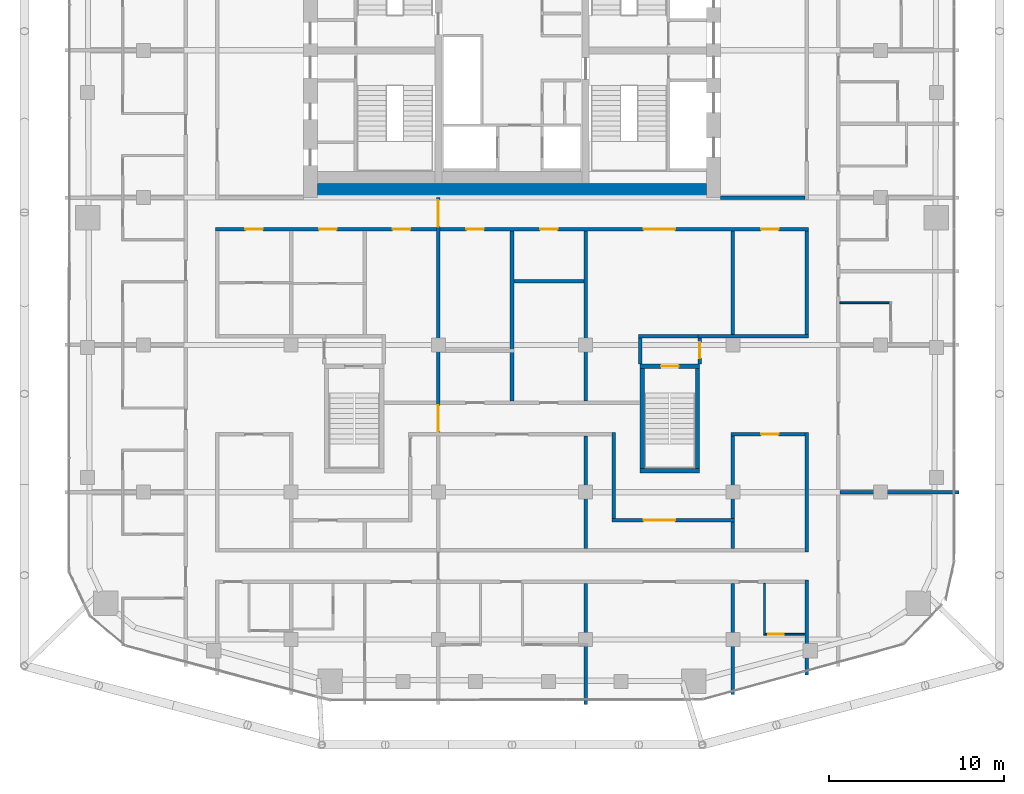
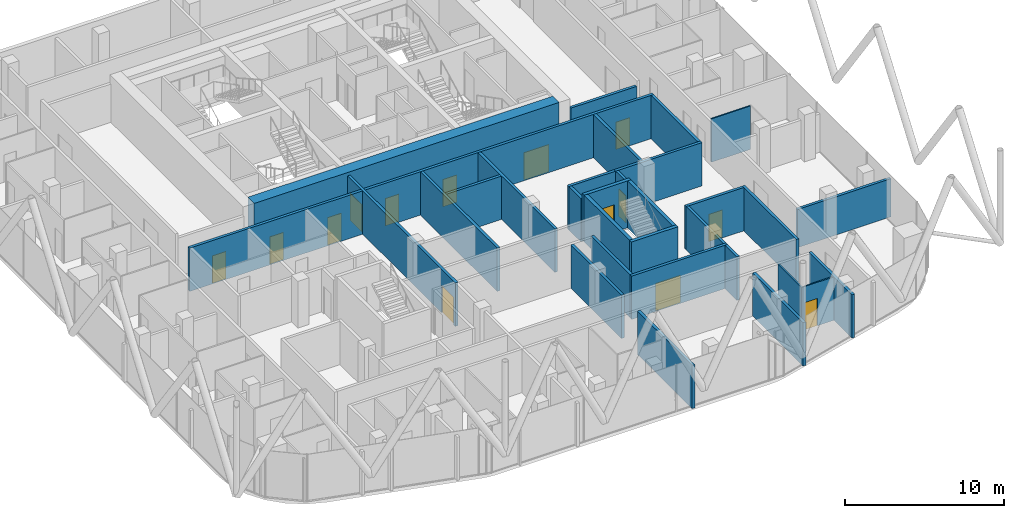
# One storey, part 22 of 28: 31 walls, 14 doors, 14 openings.
"""IFC4 building model written with IfcOpenShell, lengths in metres."""

from ifc_helpers import new_model, si_unit, direction, frame, frame_2d, origin, place, context, subcontext, project, spatial, rectangle, extrude, material, layer, layer_set, type_object, element, fill, save


model = new_model("IFC4")

# Units and contexts
model_context = context("Model", 3, precision=1e-05, world=origin(), true_north=direction((0.0, 1.0)))
body_context = subcontext(model_context, "Body", "Model", "MODEL_VIEW")
ifc_project = project(units=[si_unit("LENGTHUNIT", "METRE"), si_unit("AREAUNIT", "SQUARE_METRE"), si_unit("VOLUMEUNIT", "CUBIC_METRE"), si_unit("PLANEANGLEUNIT", "RADIAN"), si_unit("MASSUNIT", "GRAM", prefix="KILO")], contexts=[model_context])

# Site, building, storey
site_placement = place(None, origin())
site = spatial("IfcSite", under=ifc_project, at=site_placement, CompositionType="ELEMENT")
building_placement = place(site_placement, origin())
building = spatial("IfcBuilding", under=site, at=building_placement, Name="Marenta Gate Hotel Tower", CompositionType="ELEMENT")
storey_placement = place(building_placement, frame((0.0, 0.0, 241.699951171875)))
storey = spatial("IfcBuildingStorey", under=building, at=storey_placement, Name="L57", CompositionType="ELEMENT", Elevation=241.699951171875)

# Wall, openings, doors
ifc_material_1 = material(Name="Concrete blockwork", Category="masonry")
ifc_layer_1 = layer(ifc_material_1, 0.199951171875)
ifc_layer_set_1 = layer_set([ifc_layer_1], Name="Concrete blockwork")
wall_type_1 = type_object("IfcWallType", Name="Compartment wall 200 REI 180", PredefinedType="PARTITIONING", material=ifc_layer_set_1)
wall_1_placement = place(storey_placement, frame((-4.199951171875, -13.60009765625, 0.0), z_axis=(0.0, 0.0, 1.0), x_axis=(0.0, 1.0, 0.0)))
wall_1 = element("IfcWall", 1, at=wall_1_placement, inside=storey, type_object=wall_type_1, Name="L57-PTN-W071", PredefinedType="PARTITIONING", context=body_context, shape_type="SweptSolid", body=[
    extrude(rectangle(XDim=13.60009765625, YDim=0.199951171875, at=frame_2d((6.800048828125, 0.0))), origin(), (0.0, 0.0, 1.0), 3.340087890625),
])
opening_1_placement = place(wall_1_placement, frame((11.949951171875, 0.0, 0.0)))
opening_1 = element("IfcOpeningElement", 2, at=opening_1_placement, cuts=wall_1, Name="Opening G21-FD2", PredefinedType="OPENING", context=body_context, shape_type="SweptSolid", body=[
    extrude(rectangle(XDim=1.5, YDim=2.10009765625, at=frame_2d((0.75, 1.050048828125))), frame((0.0, 0.10009765625, 0.0), z_axis=(0.0, -1.0, 0.0), x_axis=(1.0, 0.0, 0.0)), (0.0, 0.0, 1.0), 0.199951171875),
])
opening_2_placement = place(wall_1_placement, frame((0.25, 0.0, 0.0)))
opening_2 = element("IfcOpeningElement", 3, at=opening_2_placement, cuts=wall_1, Name="Opening G21-FD3", PredefinedType="OPENING", context=body_context, shape_type="SweptSolid", body=[
    extrude(rectangle(XDim=1.5, YDim=2.10009765625, at=frame_2d((0.75, 1.050048828125))), frame((0.0, 0.10009765625, 0.0), z_axis=(0.0, -1.0, 0.0), x_axis=(1.0, 0.0, 0.0)), (0.0, 0.0, 1.0), 0.199951171875),
])
ifc_material_2 = material(Name="Hollow steel door set", Category="steel")
door_type_1 = type_object("IfcDoorType", Name="Compartment fire door 1500x2100 EI 60", OperationType="DOUBLE_DOOR_DOUBLE_SWING", PredefinedType="DOOR", material=ifc_material_2)
door_1_placement = place(opening_1_placement, origin())
door_1 = element("IfcDoor", 4, at=door_1_placement, inside=storey, type_object=door_type_1, Name="L57-PD-FD02", OperationType="DOUBLE_DOOR_DOUBLE_SWING", OverallHeight=2.10009765625, OverallWidth=1.5, PredefinedType="DOOR", context=body_context, shape_type="SweptSolid", body=[
    extrude(rectangle(XDim=1.5, YDim=2.10009765625, at=frame_2d((0.75, 1.050048828125))), frame((0.0, 0.02490234375, 0.0), z_axis=(0.0, -1.0, 0.0), x_axis=(1.0, 0.0, 0.0)), (0.0, 0.0, 1.0), 0.050048828125),
])
fill(opening_1, door_1)
door_2_placement = place(opening_2_placement, origin())
door_2 = element("IfcDoor", 5, at=door_2_placement, inside=storey, type_object=door_type_1, Name="L57-PD-FD03", OperationType="DOUBLE_DOOR_DOUBLE_SWING", OverallHeight=2.10009765625, OverallWidth=1.5, PredefinedType="DOOR", context=body_context, shape_type="SweptSolid", body=[
    extrude(rectangle(XDim=1.5, YDim=2.10009765625, at=frame_2d((0.75, 1.050048828125))), frame((0.0, 0.02490234375, 0.0), z_axis=(0.0, -1.0, 0.0), x_axis=(1.0, 0.0, 0.0)), (0.0, 0.0, 1.0), 0.050048828125),
])
fill(opening_2, door_2)

# Walls
ifc_material_3 = material(Name="Concrete blockwork", Category="masonry")
ifc_layer_2 = layer(ifc_material_3, 0.199951171875)
ifc_layer_set_2 = layer_set([ifc_layer_2], Name="Concrete blockwork")
wall_type_2 = type_object("IfcWallType", Name="Core boundary wall 200 REI 180", PredefinedType="PARTITIONING", material=ifc_layer_set_2)
wall_2_placement = place(storey_placement, frame((11.89990234375, 0.0, 0.0), z_axis=(0.0, 0.0, 1.0), x_axis=(1.0, 0.0, 0.0)))
element("IfcWall", 6, at=wall_2_placement, inside=storey, type_object=wall_type_2, Name="L57-CP-EW-ES", PredefinedType="PARTITIONING", context=body_context, shape_type="SweptSolid", body=[
    extrude(rectangle(XDim=4.800048828125, YDim=0.199951171875, at=frame_2d((2.39990234375, 0.0))), origin(), (0.0, 0.0, 1.0), 2.93994140625),
])
ifc_material_4 = material(Name="Concrete C60", Category="concrete")
ifc_layer_3 = layer(ifc_material_4, 0.800048828125)
ifc_layer_set_3 = layer_set([ifc_layer_3], Name="Concrete C60")
wall_type_3 = type_object("IfcWallType", Name="Core wall 800 C60", PredefinedType="SHEAR", material=ifc_layer_set_3)
wall_3_placement = place(storey_placement, frame((-11.10009765625, 0.39990234375, 0.0), z_axis=(0.0, 0.0, 1.0), x_axis=(1.0, 0.0, 0.0)))
element("IfcWall", 7, at=wall_3_placement, inside=storey, type_object=wall_type_3, Name="L57-CORE-S", PredefinedType="SHEAR", context=body_context, shape_type="SweptSolid", body=[
    extrude(rectangle(XDim=22.2001953125, YDim=0.800048828125, at=frame_2d((11.10009765625, 0.0))), origin(), (0.0, 0.0, 1.0), 3.60009765625),
])
ifc_material_5 = material(Name="Concrete C40", Category="concrete")
ifc_layer_4 = layer(ifc_material_5, 0.25)
ifc_layer_set_4 = layer_set([ifc_layer_4], Name="Concrete C40")
wall_type_4 = type_object("IfcWallType", Name="Remote stair enclosure wall 250 REI 180", PredefinedType="SHEAR", material=ifc_layer_set_4)
wall_4_placement = place(storey_placement, frame((7.300048828125, -15.574951171875, 0.10009765625), z_axis=(0.0, 0.0, 1.0), x_axis=(1.0, 0.0, 0.0)))
element("IfcWall", 8, at=wall_4_placement, inside=storey, type_object=wall_type_4, Name="L57-RS-Z3-2-W1", PredefinedType="SHEAR", context=body_context, shape_type="SweptSolid", body=[
    extrude(rectangle(XDim=3.39990234375, YDim=0.25, at=frame_2d((1.699951171875, 0.0))), origin(), (0.0, 0.0, 1.0), 3.599853515625),
])

# Wall, opening, door
wall_5_placement = place(storey_placement, frame((7.300048828125, -9.625, 0.10009765625), z_axis=(0.0, 0.0, 1.0), x_axis=(1.0, 0.0, 0.0)))
wall_5 = element("IfcWall", 9, at=wall_5_placement, inside=storey, type_object=wall_type_4, Name="L57-RS-Z3-2-W2", PredefinedType="SHEAR", context=body_context, shape_type="SweptSolid", body=[
    extrude(rectangle(XDim=3.39990234375, YDim=0.25, at=frame_2d((1.699951171875, 0.0))), origin(), (0.0, 0.0, 1.0), 3.599853515625),
])
opening_3_placement = place(wall_5_placement, frame((1.199951171875, 0.0, 0.0)))
opening_3 = element("IfcOpeningElement", 10, at=opening_3_placement, cuts=wall_5, Name="Opening VD", PredefinedType="OPENING", context=body_context, shape_type="SweptSolid", body=[
    extrude(rectangle(XDim=1.0, YDim=2.10009765625, at=frame_2d((0.5, 1.050048828125))), frame((0.0, 0.125, 0.0), z_axis=(0.0, -1.0, 0.0), x_axis=(1.0, 0.0, 0.0)), (0.0, 0.0, 1.0), 0.25),
])
ifc_material_6 = material(Name="Steel", Category="steel")
door_type_2 = type_object("IfcDoorType", Name="Stair vestibule door 1000x2100 FD60", OperationType="SINGLE_SWING_LEFT", PredefinedType="DOOR", material=ifc_material_6)
door_3_placement = place(opening_3_placement, origin())
door_3 = element("IfcDoor", 11, at=door_3_placement, inside=storey, type_object=door_type_2, Name="VD", OperationType="SINGLE_SWING_LEFT", OverallHeight=2.10009765625, OverallWidth=1.0, PredefinedType="DOOR", context=body_context, shape_type="SweptSolid", body=[
    extrude(rectangle(XDim=1.0, YDim=2.10009765625, at=frame_2d((0.5, 1.050048828125))), frame((0.0, 0.02490234375, 0.0), z_axis=(0.0, -1.0, 0.0), x_axis=(1.0, 0.0, 0.0)), (0.0, 0.0, 1.0), 0.050048828125),
])
fill(opening_3, door_3)

# Walls
for number, where, z_axis, x_axis, name in (
    (12, (7.425048828125, -15.449951171875, 0.10009765625), (0.0, 0.0, 1.0), (0.0, 1.0, 0.0), "L57-RS-Z3-2-W3"),
    (13, (10.574951171875, -15.449951171875, 0.10009765625), (0.0, 0.0, 1.0), (0.0, 1.0, 0.0), "L57-RS-Z3-2-W4"),
):
    element("IfcWall", number, at=place(storey_placement, frame(where, z_axis=z_axis, x_axis=x_axis)), inside=storey, type_object=wall_type_4, Name=name, PredefinedType="SHEAR", context=body_context, shape_type="SweptSolid", body=[
        extrude(rectangle(XDim=5.699951171875, YDim=0.25, at=frame_2d((2.85009765625, 0.0))), origin(), (0.0, 0.0, 1.0), 3.599853515625),
    ])

# Wall, openings, doors
ifc_material_7 = material(Name="Concrete blockwork", Category="masonry")
ifc_layer_5 = layer(ifc_material_7, 0.199951171875)
ifc_layer_set_5 = layer_set([ifc_layer_5], Name="Concrete blockwork")
wall_type_5 = type_object("IfcWallType", Name="Room corridor wall 200 EI 120", PredefinedType="PARTITIONING", material=ifc_layer_set_5)
wall_6_placement = place(storey_placement, frame((-16.89990234375, -1.800048828125, 0.0), z_axis=(0.0, 0.0, 1.0), x_axis=(1.0, 0.0, 0.0)))
wall_6 = element("IfcWall", 14, at=wall_6_placement, inside=storey, type_object=wall_type_5, Name="L57-PTN-W061", PredefinedType="PARTITIONING", context=body_context, shape_type="SweptSolid", body=[
    extrude(rectangle(XDim=33.7998046875, YDim=0.199951171875, at=frame_2d((16.89990234375, 0.0))), origin(), (0.0, 0.0, 1.0), 3.340087890625),
])
opening_4_placement = place(wall_6_placement, frame((1.699951171875, 0.0, 0.0)))
opening_4 = element("IfcOpeningElement", 15, at=opening_4_placement, cuts=wall_6, Name="Opening G21-01", PredefinedType="OPENING", context=body_context, shape_type="SweptSolid", body=[
    extrude(rectangle(XDim=1.0, YDim=2.10009765625, at=frame_2d((0.5, 1.050048828125))), frame((0.0, 0.10009765625, 0.0), z_axis=(0.0, -1.0, 0.0), x_axis=(1.0, 0.0, 0.0)), (0.0, 0.0, 1.0), 0.199951171875),
])
opening_5_placement = place(wall_6_placement, frame((5.89990234375, 0.0, 0.0)))
opening_5 = element("IfcOpeningElement", 16, at=opening_5_placement, cuts=wall_6, Name="Opening G21-03", PredefinedType="OPENING", context=body_context, shape_type="SweptSolid", body=[
    extrude(rectangle(XDim=1.0, YDim=2.10009765625, at=frame_2d((0.5, 1.050048828125))), frame((0.0, 0.10009765625, 0.0), z_axis=(0.0, -1.0, 0.0), x_axis=(1.0, 0.0, 0.0)), (0.0, 0.0, 1.0), 0.199951171875),
])
opening_6_placement = place(wall_6_placement, frame((10.10009765625, 0.0, 0.0)))
opening_6 = element("IfcOpeningElement", 17, at=opening_6_placement, cuts=wall_6, Name="Opening G21-05", PredefinedType="OPENING", context=body_context, shape_type="SweptSolid", body=[
    extrude(rectangle(XDim=1.0, YDim=2.10009765625, at=frame_2d((0.5, 1.050048828125))), frame((0.0, 0.10009765625, 0.0), z_axis=(0.0, -1.0, 0.0), x_axis=(1.0, 0.0, 0.0)), (0.0, 0.0, 1.0), 0.199951171875),
])
opening_7_placement = place(wall_6_placement, frame((24.39990234375, 0.0, 0.0)))
opening_7 = element("IfcOpeningElement", 18, at=opening_7_placement, cuts=wall_6, Name="Opening G21-06", PredefinedType="OPENING", context=body_context, shape_type="SweptSolid", body=[
    extrude(rectangle(XDim=1.800048828125, YDim=2.10009765625, at=frame_2d((0.89990234375, 1.050048828125))), frame((0.0, 0.10009765625, 0.0), z_axis=(0.0, -1.0, 0.0), x_axis=(1.0, 0.0, 0.0)), (0.0, 0.0, 1.0), 0.199951171875),
])
opening_8_placement = place(wall_6_placement, frame((31.10009765625, 0.0, 0.0)))
opening_8 = element("IfcOpeningElement", 19, at=opening_8_placement, cuts=wall_6, Name="Opening G21-07", PredefinedType="OPENING", context=body_context, shape_type="SweptSolid", body=[
    extrude(rectangle(XDim=1.0, YDim=2.10009765625, at=frame_2d((0.5, 1.050048828125))), frame((0.0, 0.10009765625, 0.0), z_axis=(0.0, -1.0, 0.0), x_axis=(1.0, 0.0, 0.0)), (0.0, 0.0, 1.0), 0.199951171875),
])
opening_9_placement = place(wall_6_placement, frame((14.300048828125, 0.0, 0.0)))
opening_9 = element("IfcOpeningElement", 20, at=opening_9_placement, cuts=wall_6, Name="Opening G21-64", PredefinedType="OPENING", context=body_context, shape_type="SweptSolid", body=[
    extrude(rectangle(XDim=1.0, YDim=2.10009765625, at=frame_2d((0.5, 1.050048828125))), frame((0.0, 0.10009765625, 0.0), z_axis=(0.0, -1.0, 0.0), x_axis=(1.0, 0.0, 0.0)), (0.0, 0.0, 1.0), 0.199951171875),
])
opening_10_placement = place(wall_6_placement, frame((18.5, 0.0, 0.0)))
opening_10 = element("IfcOpeningElement", 21, at=opening_10_placement, cuts=wall_6, Name="Opening G21-68", PredefinedType="OPENING", context=body_context, shape_type="SweptSolid", body=[
    extrude(rectangle(XDim=1.0, YDim=2.10009765625, at=frame_2d((0.5, 1.050048828125))), frame((0.0, 0.10009765625, 0.0), z_axis=(0.0, -1.0, 0.0), x_axis=(1.0, 0.0, 0.0)), (0.0, 0.0, 1.0), 0.199951171875),
])
ifc_material_8 = material(Name="Timber door leaf", Category="wood")
door_type_3 = type_object("IfcDoorType", Name="Room amenity door 1000x2100 EI 60", OperationType="NOTDEFINED", PredefinedType="DOOR", material=ifc_material_8)
door_4_placement = place(opening_6_placement, origin())
door_4 = element("IfcDoor", 22, at=door_4_placement, inside=storey, type_object=door_type_3, Name="L57-PD-D005", OperationType="SINGLE_SWING_RIGHT", OverallHeight=2.10009765625, OverallWidth=1.0, PredefinedType="DOOR", context=body_context, shape_type="SweptSolid", body=[
    extrude(rectangle(XDim=1.0, YDim=2.10009765625, at=frame_2d((0.5, 1.050048828125))), frame((0.0, 0.02490234375, 0.0), z_axis=(0.0, -1.0, 0.0), x_axis=(1.0, 0.0, 0.0)), (0.0, 0.0, 1.0), 0.050048828125),
])
fill(opening_6, door_4)
door_5_placement = place(opening_8_placement, origin())
door_5 = element("IfcDoor", 23, at=door_5_placement, inside=storey, type_object=door_type_3, Name="L57-PD-D007", OperationType="SINGLE_SWING_RIGHT", OverallHeight=2.10009765625, OverallWidth=1.0, PredefinedType="DOOR", context=body_context, shape_type="SweptSolid", body=[
    extrude(rectangle(XDim=1.0, YDim=2.10009765625, at=frame_2d((0.5, 1.050048828125))), frame((0.0, 0.02490234375, 0.0), z_axis=(0.0, -1.0, 0.0), x_axis=(1.0, 0.0, 0.0)), (0.0, 0.0, 1.0), 0.050048828125),
])
fill(opening_8, door_5)
door_6_placement = place(opening_9_placement, origin())
door_6 = element("IfcDoor", 24, at=door_6_placement, inside=storey, type_object=door_type_3, Name="L57-PD-D064", OperationType="SINGLE_SWING_LEFT", OverallHeight=2.10009765625, OverallWidth=1.0, PredefinedType="DOOR", context=body_context, shape_type="SweptSolid", body=[
    extrude(rectangle(XDim=1.0, YDim=2.10009765625, at=frame_2d((0.5, 1.050048828125))), frame((0.0, 0.02490234375, 0.0), z_axis=(0.0, -1.0, 0.0), x_axis=(1.0, 0.0, 0.0)), (0.0, 0.0, 1.0), 0.050048828125),
])
fill(opening_9, door_6)
door_7_placement = place(opening_10_placement, origin())
door_7 = element("IfcDoor", 25, at=door_7_placement, inside=storey, type_object=door_type_3, Name="L57-PD-D068", OperationType="SINGLE_SWING_LEFT", OverallHeight=2.10009765625, OverallWidth=1.0, PredefinedType="DOOR", context=body_context, shape_type="SweptSolid", body=[
    extrude(rectangle(XDim=1.0, YDim=2.10009765625, at=frame_2d((0.5, 1.050048828125))), frame((0.0, 0.02490234375, 0.0), z_axis=(0.0, -1.0, 0.0), x_axis=(1.0, 0.0, 0.0)), (0.0, 0.0, 1.0), 0.050048828125),
])
fill(opening_10, door_7)
ifc_material_9 = material(Name="Timber door leaf", Category="wood")
door_type_4 = type_object("IfcDoorType", Name="Room amenity door 1800x2100 EI 60", OperationType="DOUBLE_DOOR_SINGLE_SWING", PredefinedType="DOOR", material=ifc_material_9)
door_8_placement = place(opening_7_placement, origin())
door_8 = element("IfcDoor", 26, at=door_8_placement, inside=storey, type_object=door_type_4, Name="L57-PD-D006", OperationType="DOUBLE_DOOR_SINGLE_SWING", OverallHeight=2.10009765625, OverallWidth=1.800048828125, PredefinedType="DOOR", context=body_context, shape_type="SweptSolid", body=[
    extrude(rectangle(XDim=1.800048828125, YDim=2.10009765625, at=frame_2d((0.89990234375, 1.050048828125))), frame((0.0, 0.02490234375, 0.0), z_axis=(0.0, -1.0, 0.0), x_axis=(1.0, 0.0, 0.0)), (0.0, 0.0, 1.0), 0.050048828125),
])
fill(opening_7, door_8)
ifc_material_10 = material(Name="Hollow steel door set", Category="steel")
door_type_5 = type_object("IfcDoorType", Name="Room service door 1000x2100 EI 60", OperationType="NOTDEFINED", PredefinedType="DOOR", material=ifc_material_10)
door_9_placement = place(opening_4_placement, origin())
door_9 = element("IfcDoor", 27, at=door_9_placement, inside=storey, type_object=door_type_5, Name="L57-PD-D001", OperationType="SINGLE_SWING_LEFT", OverallHeight=2.10009765625, OverallWidth=1.0, PredefinedType="DOOR", context=body_context, shape_type="SweptSolid", body=[
    extrude(rectangle(XDim=1.0, YDim=2.10009765625, at=frame_2d((0.5, 1.050048828125))), frame((0.0, 0.02490234375, 0.0), z_axis=(0.0, -1.0, 0.0), x_axis=(1.0, 0.0, 0.0)), (0.0, 0.0, 1.0), 0.050048828125),
])
fill(opening_4, door_9)
door_10_placement = place(opening_5_placement, origin())
door_10 = element("IfcDoor", 28, at=door_10_placement, inside=storey, type_object=door_type_5, Name="L57-PD-D003", OperationType="SINGLE_SWING_LEFT", OverallHeight=2.10009765625, OverallWidth=1.0, PredefinedType="DOOR", context=body_context, shape_type="SweptSolid", body=[
    extrude(rectangle(XDim=1.0, YDim=2.10009765625, at=frame_2d((0.5, 1.050048828125))), frame((0.0, 0.02490234375, 0.0), z_axis=(0.0, -1.0, 0.0), x_axis=(1.0, 0.0, 0.0)), (0.0, 0.0, 1.0), 0.050048828125),
])
fill(opening_5, door_10)

# Wall, opening, door
ifc_material_11 = material(Name="Gypsum board on steel stud", Category="steel")
ifc_layer_6 = layer(ifc_material_11, 0.199951171875)
ifc_layer_set_6 = layer_set([ifc_layer_6], Name="Gypsum board on steel stud")
wall_type_6 = type_object("IfcWallType", Name="Room corridor wall 200 EI 60", PredefinedType="PARTITIONING", material=ifc_layer_set_6)
wall_7_placement = place(storey_placement, frame((5.699951171875, -18.39990234375, 0.0), z_axis=(0.0, 0.0, 1.0), x_axis=(1.0, 0.0, 0.0)))
wall_7 = element("IfcWall", 29, at=wall_7_placement, inside=storey, type_object=wall_type_6, Name="L57-PTN-W019", PredefinedType="PARTITIONING", context=body_context, shape_type="SweptSolid", body=[
    extrude(rectangle(XDim=7.0, YDim=0.199951171875, at=frame_2d((3.5, 0.0))), origin(), (0.0, 0.0, 1.0), 3.340087890625),
])
opening_11_placement = place(wall_7_placement, frame((1.800048828125, 0.0, 0.0)))
opening_11 = element("IfcOpeningElement", 30, at=opening_11_placement, cuts=wall_7, Name="Opening G21-12", PredefinedType="OPENING", context=body_context, shape_type="SweptSolid", body=[
    extrude(rectangle(XDim=1.800048828125, YDim=2.10009765625, at=frame_2d((0.89990234375, 1.050048828125))), frame((0.0, 0.10009765625, 0.0), z_axis=(0.0, -1.0, 0.0), x_axis=(1.0, 0.0, 0.0)), (0.0, 0.0, 1.0), 0.199951171875),
])
ifc_material_12 = material(Name="Timber door leaf", Category="wood")
door_type_6 = type_object("IfcDoorType", Name="Room amenity door 1800x2100 EI 30", OperationType="DOUBLE_DOOR_SINGLE_SWING", PredefinedType="DOOR", material=ifc_material_12)
door_11_placement = place(opening_11_placement, origin())
door_11 = element("IfcDoor", 31, at=door_11_placement, inside=storey, type_object=door_type_6, Name="L57-PD-D012", OperationType="DOUBLE_DOOR_SINGLE_SWING", OverallHeight=2.10009765625, OverallWidth=1.800048828125, PredefinedType="DOOR", context=body_context, shape_type="SweptSolid", body=[
    extrude(rectangle(XDim=1.800048828125, YDim=2.10009765625, at=frame_2d((0.89990234375, 1.050048828125))), frame((0.0, 0.02490234375, 0.0), z_axis=(0.0, -1.0, 0.0), x_axis=(1.0, 0.0, 0.0)), (0.0, 0.0, 1.0), 0.050048828125),
])
fill(opening_11, door_11)

# Walls
wall_8_placement = place(storey_placement, frame((16.800048828125, -27.22900390625, 0.0), z_axis=(0.0, 0.0, 1.0), x_axis=(0.0, 1.0, 0.0)))
element("IfcWall", 32, at=wall_8_placement, inside=storey, type_object=wall_type_6, Name="L57-PTN-W020", PredefinedType="PARTITIONING", context=body_context, shape_type="SweptSolid", body=[
    extrude(rectangle(XDim=5.428955078125, YDim=0.199951171875, at=frame_2d((2.71435546875, 0.0))), origin(), (0.0, 0.0, 1.0), 3.340087890625),
])
wall_9_placement = place(storey_placement, frame((16.800048828125, -20.199951171875, 0.0), z_axis=(0.0, 0.0, 1.0), x_axis=(0.0, 1.0, 0.0)))
element("IfcWall", 33, at=wall_9_placement, inside=storey, type_object=wall_type_6, Name="L57-PTN-W021", PredefinedType="PARTITIONING", context=body_context, shape_type="SweptSolid", body=[
    extrude(rectangle(XDim=6.800048828125, YDim=0.199951171875, at=frame_2d((3.39990234375, 0.0))), origin(), (0.0, 0.0, 1.0), 3.340087890625),
])
wall_10_placement = place(storey_placement, frame((16.800048828125, -7.800048828125, 0.0), z_axis=(0.0, 0.0, 1.0), x_axis=(0.0, 1.0, 0.0)))
element("IfcWall", 34, at=wall_10_placement, inside=storey, type_object=wall_type_6, Name="L57-PTN-W022", PredefinedType="PARTITIONING", context=body_context, shape_type="SweptSolid", body=[
    extrude(rectangle(XDim=5.900146484375, YDim=0.199951171875, at=frame_2d((2.9501953125, 0.0))), origin(), (0.0, 0.0, 1.0), 3.340087890625),
])

# Wall, opening, door
wall_11_placement = place(storey_placement, frame((12.5, -13.5, 0.0), z_axis=(0.0, 0.0, 1.0), x_axis=(1.0, 0.0, 0.0)))
wall_11 = element("IfcWall", 35, at=wall_11_placement, inside=storey, type_object=wall_type_6, Name="L57-PTN-W030", PredefinedType="PARTITIONING", context=body_context, shape_type="SweptSolid", body=[
    extrude(rectangle(XDim=4.199951171875, YDim=0.199951171875, at=frame_2d((2.10009765625, 0.0))), origin(), (0.0, 0.0, 1.0), 3.340087890625),
])
opening_12_placement = place(wall_11_placement, frame((1.699951171875, 0.0, 0.0)))
opening_12 = element("IfcOpeningElement", 36, at=opening_12_placement, cuts=wall_11, Name="Opening G21-13", PredefinedType="OPENING", context=body_context, shape_type="SweptSolid", body=[
    extrude(rectangle(XDim=1.0, YDim=2.10009765625, at=frame_2d((0.5, 1.050048828125))), frame((0.0, 0.10009765625, 0.0), z_axis=(0.0, -1.0, 0.0), x_axis=(1.0, 0.0, 0.0)), (0.0, 0.0, 1.0), 0.199951171875),
])
ifc_material_13 = material(Name="Timber door leaf", Category="wood")
door_type_7 = type_object("IfcDoorType", Name="Room amenity door 1000x2100 EI 30", OperationType="NOTDEFINED", PredefinedType="DOOR", material=ifc_material_13)
door_12_placement = place(opening_12_placement, origin())
door_12 = element("IfcDoor", 37, at=door_12_placement, inside=storey, type_object=door_type_7, Name="L57-PD-D013", OperationType="SINGLE_SWING_LEFT", OverallHeight=2.10009765625, OverallWidth=1.0, PredefinedType="DOOR", context=body_context, shape_type="SweptSolid", body=[
    extrude(rectangle(XDim=1.0, YDim=2.10009765625, at=frame_2d((0.5, 1.050048828125))), frame((0.0, 0.02490234375, 0.0), z_axis=(0.0, -1.0, 0.0), x_axis=(1.0, 0.0, 0.0)), (0.0, 0.0, 1.0), 0.050048828125),
])
fill(opening_12, door_12)

# Walls
wall_12_placement = place(storey_placement, frame((12.60009765625, -18.300048828125, 0.0), z_axis=(0.0, 0.0, 1.0), x_axis=(0.0, 1.0, 0.0)))
element("IfcWall", 38, at=wall_12_placement, inside=storey, type_object=wall_type_6, Name="L57-PTN-W035", PredefinedType="PARTITIONING", context=body_context, shape_type="SweptSolid", body=[
    extrude(rectangle(XDim=4.699951171875, YDim=0.199951171875, at=frame_2d((2.35009765625, 0.0))), origin(), (0.0, 0.0, 1.0), 3.340087890625),
])
wall_13_placement = place(storey_placement, frame((10.60009765625, -7.89990234375, 0.0), z_axis=(0.0, 0.0, 1.0), x_axis=(1.0, 0.0, 0.0)))
element("IfcWall", 39, at=wall_13_placement, inside=storey, type_object=wall_type_6, Name="L57-PTN-W044", PredefinedType="PARTITIONING", context=body_context, shape_type="SweptSolid", body=[
    extrude(rectangle(XDim=6.2998046875, YDim=0.199951171875, at=frame_2d((3.14990234375, 0.0))), origin(), (0.0, 0.0, 1.0), 3.340087890625),
])
wall_14_placement = place(storey_placement, frame((5.800048828125, -18.300048828125, 0.0), z_axis=(0.0, 0.0, 1.0), x_axis=(0.0, 1.0, 0.0)))
element("IfcWall", 40, at=wall_14_placement, inside=storey, type_object=wall_type_6, Name="L57-PTN-W049", PredefinedType="PARTITIONING", context=body_context, shape_type="SweptSolid", body=[
    extrude(rectangle(XDim=4.900146484375, YDim=0.199951171875, at=frame_2d((2.4501953125, 0.0))), origin(), (0.0, 0.0, 1.0), 3.340087890625),
])

# Wall, opening, door
ifc_material_14 = material(Name="Concrete blockwork", Category="masonry")
ifc_layer_7 = layer(ifc_material_14, 0.199951171875)
ifc_layer_set_7 = layer_set([ifc_layer_7], Name="Concrete blockwork")
wall_type_7 = type_object("IfcWallType", Name="Room corridor wall 200 REI 180", PredefinedType="PARTITIONING", material=ifc_layer_set_7)
wall_15_placement = place(storey_placement, frame((10.699951171875, -9.5, 0.0), z_axis=(0.0, 0.0, 1.0), x_axis=(0.0, 1.0, 0.0)))
wall_15 = element("IfcWall", 41, at=wall_15_placement, inside=storey, type_object=wall_type_7, Name="L57-PTN-W038", PredefinedType="PARTITIONING", context=body_context, shape_type="SweptSolid", body=[
    extrude(rectangle(XDim=1.5, YDim=0.199951171875, at=frame_2d((0.75, 0.0))), origin(), (0.0, 0.0, 1.0), 3.340087890625),
])
opening_13_placement = place(wall_15_placement, frame((0.35009765625, 0.0, 0.0)))
opening_13 = element("IfcOpeningElement", 42, at=opening_13_placement, cuts=wall_15, Name="Opening G21-62", PredefinedType="OPENING", context=body_context, shape_type="SweptSolid", body=[
    extrude(rectangle(XDim=0.89990234375, YDim=2.10009765625, at=frame_2d((0.449951171875, 1.050048828125))), frame((0.0, 0.10009765625, 0.0), z_axis=(0.0, -1.0, 0.0), x_axis=(1.0, 0.0, 0.0)), (0.0, 0.0, 1.0), 0.199951171875),
])
ifc_material_15 = material(Name="Hollow steel door set", Category="steel")
door_type_8 = type_object("IfcDoorType", Name="Stair vestibule door 900x2100 EI 60", OperationType="NOTDEFINED", PredefinedType="DOOR", material=ifc_material_15)
door_13_placement = place(opening_13_placement, origin())
door_13 = element("IfcDoor", 43, at=door_13_placement, inside=storey, type_object=door_type_8, Name="L57-PD-D062", OperationType="SINGLE_SWING_RIGHT", OverallHeight=2.10009765625, OverallWidth=0.89990234375, PredefinedType="DOOR", context=body_context, shape_type="SweptSolid", body=[
    extrude(rectangle(XDim=0.89990234375, YDim=2.10009765625, at=frame_2d((0.449951171875, 1.050048828125))), frame((0.0, 0.02490234375, 0.0), z_axis=(0.0, -1.0, 0.0), x_axis=(1.0, 0.0, 0.0)), (0.0, 0.0, 1.0), 0.050048828125),
])
fill(opening_13, door_13)

ifc_material_16 = material(Name="Gypsum board on steel stud", Category="steel")
ifc_layer_8 = layer(ifc_material_16, 0.10009765625)
ifc_layer_set_8 = layer_set([ifc_layer_8], Name="Gypsum board on steel stud")
wall_type_8 = type_object("IfcWallType", Name="Room partition 100", PredefinedType="PARTITIONING", material=ifc_layer_set_8)
wall_16_placement = place(storey_placement, frame((14.449951171875, -24.89990234375, 0.0), z_axis=(0.0, 0.0, 1.0), x_axis=(1.0, 0.0, 0.0)))
wall_16 = element("IfcWall", 44, at=wall_16_placement, inside=storey, type_object=wall_type_8, Name="L57-PTN-W003", PredefinedType="PARTITIONING", context=body_context, shape_type="SweptSolid", body=[
    extrude(rectangle(XDim=2.25, YDim=0.10009765625, at=frame_2d((1.125, 0.0))), origin(), (0.0, 0.0, 1.0), 3.340087890625),
])
opening_14_placement = place(wall_16_placement, frame((0.14990234375, 0.0, 0.0)))
opening_14 = element("IfcOpeningElement", 45, at=opening_14_placement, cuts=wall_16, Name="Opening G21-43", PredefinedType="OPENING", context=body_context, shape_type="SweptSolid", body=[
    extrude(rectangle(XDim=0.89990234375, YDim=2.10009765625, at=frame_2d((0.449951171875, 1.050048828125))), frame((0.0, 0.050048828125, 0.0), z_axis=(0.0, -1.0, 0.0), x_axis=(1.0, 0.0, 0.0)), (0.0, 0.0, 1.0), 0.10009765625),
])
ifc_material_17 = material(Name="Timber door leaf", Category="wood")
door_type_9 = type_object("IfcDoorType", Name="Guest bathroom door 900x2100", OperationType="NOTDEFINED", PredefinedType="DOOR", material=ifc_material_17)
door_14_placement = place(opening_14_placement, origin())
door_14 = element("IfcDoor", 46, at=door_14_placement, inside=storey, type_object=door_type_9, Name="L57-PD-D043", OperationType="SINGLE_SWING_LEFT", OverallHeight=2.10009765625, OverallWidth=0.89990234375, PredefinedType="DOOR", context=body_context, shape_type="SweptSolid", body=[
    extrude(rectangle(XDim=0.89990234375, YDim=2.10009765625, at=frame_2d((0.449951171875, 1.050048828125))), frame((0.0, 0.02490234375, 0.0), z_axis=(0.0, -1.0, 0.0), x_axis=(1.0, 0.0, 0.0)), (0.0, 0.0, 1.0), 0.050048828125),
])
fill(opening_14, door_14)

# Walls
wall_17_placement = place(storey_placement, frame((14.39990234375, -24.949951171875, 0.0), z_axis=(0.0, 0.0, 1.0), x_axis=(0.0, 1.0, 0.0)))
element("IfcWall", 47, at=wall_17_placement, inside=storey, type_object=wall_type_8, Name="L57-PTN-W026", PredefinedType="PARTITIONING", context=body_context, shape_type="SweptSolid", body=[
    extrude(rectangle(XDim=2.949951171875, YDim=0.10009765625, at=frame_2d((1.47509765625, 0.0))), origin(), (0.0, 0.0, 1.0), 3.340087890625),
])
wall_18_placement = place(storey_placement, frame((18.699951171875, -6.0, 0.0), z_axis=(0.0, 0.0, 1.0), x_axis=(1.0, 0.0, 0.0)))
element("IfcWall", 48, at=wall_18_placement, inside=storey, type_object=wall_type_8, Name="L57-PTN-W048", PredefinedType="PARTITIONING", context=body_context, shape_type="SweptSolid", body=[
    extrude(rectangle(XDim=2.85009765625, YDim=0.10009765625, at=frame_2d((1.425048828125, 0.0))), origin(), (0.0, 0.0, 1.0), 3.340087890625),
])
ifc_material_18 = material(Name="Gypsum board on steel stud", Category="steel")
ifc_layer_9 = layer(ifc_material_18, 0.199951171875)
ifc_layer_set_9 = layer_set([ifc_layer_9], Name="Gypsum board on steel stud")
wall_type_9 = type_object("IfcWallType", Name="Room party wall 200 EI 60", PredefinedType="PARTITIONING", material=ifc_layer_set_9)
wall_19_placement = place(storey_placement, frame((18.699951171875, -16.800048828125, 0.0), z_axis=(0.0, 0.0, 1.0), x_axis=(1.0, 0.0, 0.0)))
element("IfcWall", 49, at=wall_19_placement, inside=storey, type_object=wall_type_9, Name="L57-PTN-W025", PredefinedType="PARTITIONING", context=body_context, shape_type="SweptSolid", body=[
    extrude(rectangle(XDim=6.800048828125, YDim=0.199951171875, at=frame_2d((3.39990234375, 0.0))), origin(), (0.0, 0.0, 1.0), 2.93994140625),
])
wall_20_placement = place(storey_placement, frame((12.60009765625, -28.343017578125, 0.0), z_axis=(0.0, 0.0, 1.0), x_axis=(0.0, 1.0, 0.0)))
element("IfcWall", 50, at=wall_20_placement, inside=storey, type_object=wall_type_9, Name="L57-PTN-W031", PredefinedType="PARTITIONING", context=body_context, shape_type="SweptSolid", body=[
    extrude(rectangle(XDim=6.343017578125, YDim=0.199951171875, at=frame_2d((3.17138671875, 0.0))), origin(), (0.0, 0.0, 1.0), 3.340087890625),
])
wall_21_placement = place(storey_placement, frame((12.60009765625, -20.0, 0.0), z_axis=(0.0, 0.0, 1.0), x_axis=(0.0, 1.0, 0.0)))
element("IfcWall", 51, at=wall_21_placement, inside=storey, type_object=wall_type_9, Name="L57-PTN-W032", PredefinedType="PARTITIONING", context=body_context, shape_type="SweptSolid", body=[
    extrude(rectangle(XDim=1.5, YDim=0.199951171875, at=frame_2d((0.75, 0.0))), origin(), (0.0, 0.0, 1.0), 3.340087890625),
])
wall_22_placement = place(storey_placement, frame((12.60009765625, -7.800048828125, 0.0), z_axis=(0.0, 0.0, 1.0), x_axis=(0.0, 1.0, 0.0)))
element("IfcWall", 52, at=wall_22_placement, inside=storey, type_object=wall_type_9, Name="L57-PTN-W033", PredefinedType="PARTITIONING", context=body_context, shape_type="SweptSolid", body=[
    extrude(rectangle(XDim=5.900146484375, YDim=0.199951171875, at=frame_2d((2.9501953125, 0.0))), origin(), (0.0, 0.0, 1.0), 3.340087890625),
])
wall_23_placement = place(storey_placement, frame((0.10009765625, -4.77001953125, 0.0), z_axis=(0.0, 0.0, 1.0), x_axis=(1.0, 0.0, 0.0)))
element("IfcWall", 53, at=wall_23_placement, inside=storey, type_object=wall_type_9, Name="L57-PTN-W053", PredefinedType="PARTITIONING", context=body_context, shape_type="SweptSolid", body=[
    extrude(rectangle(XDim=4.0, YDim=0.199951171875, at=frame_2d((2.0, 0.0))), origin(), (0.0, 0.0, 1.0), 3.340087890625),
])
wall_24_placement = place(storey_placement, frame((4.199951171875, -28.89990234375, 0.0), z_axis=(0.0, 0.0, 1.0), x_axis=(0.0, 1.0, 0.0)))
element("IfcWall", 54, at=wall_24_placement, inside=storey, type_object=wall_type_9, Name="L57-PTN-W054", PredefinedType="PARTITIONING", context=body_context, shape_type="SweptSolid", body=[
    extrude(rectangle(XDim=6.89990234375, YDim=0.199951171875, at=frame_2d((3.449951171875, 0.0))), origin(), (0.0, 0.0, 1.0), 3.340087890625),
])
wall_25_placement = place(storey_placement, frame((4.199951171875, -20.0, 0.0), z_axis=(0.0, 0.0, 1.0), x_axis=(0.0, 1.0, 0.0)))
element("IfcWall", 55, at=wall_25_placement, inside=storey, type_object=wall_type_9, Name="L57-PTN-W055", PredefinedType="PARTITIONING", context=body_context, shape_type="SweptSolid", body=[
    extrude(rectangle(XDim=6.39990234375, YDim=0.199951171875, at=frame_2d((3.199951171875, 0.0))), origin(), (0.0, 0.0, 1.0), 3.340087890625),
])
for number, where, z_axis, x_axis, name in (
    (56, (4.199951171875, -11.60009765625, 0.0), (0.0, 0.0, 1.0), (0.0, 1.0, 0.0), "L57-PTN-W056"),
    (57, (0.0, -11.60009765625, 0.0), (0.0, 0.0, 1.0), (0.0, 1.0, 0.0), "L57-PTN-W063"),
):
    element("IfcWall", number, at=place(storey_placement, frame(where, z_axis=z_axis, x_axis=x_axis)), inside=storey, type_object=wall_type_9, Name=name, PredefinedType="PARTITIONING", context=body_context, shape_type="SweptSolid", body=[
        extrude(rectangle(XDim=9.7001953125, YDim=0.199951171875, at=frame_2d((4.85009765625, 0.0))), origin(), (0.0, 0.0, 1.0), 3.340087890625),
    ])
ifc_material_19 = material(Name="Concrete blockwork", Category="masonry")
ifc_layer_10 = layer(ifc_material_19, 0.199951171875)
ifc_layer_set_10 = layer_set([ifc_layer_10], Name="Concrete blockwork")
wall_type_10 = type_object("IfcWallType", Name="Room party wall 200 REI 180", PredefinedType="PARTITIONING", material=ifc_layer_set_10)
wall_26_placement = place(storey_placement, frame((7.199951171875, -7.89990234375, 0.0), z_axis=(0.0, 0.0, 1.0), x_axis=(1.0, 0.0, 0.0)))
element("IfcWall", 58, at=wall_26_placement, inside=storey, type_object=wall_type_10, Name="L57-PTN-W046", PredefinedType="PARTITIONING", context=body_context, shape_type="SweptSolid", body=[
    extrude(rectangle(XDim=3.400146484375, YDim=0.199951171875, at=frame_2d((1.7001953125, 0.0))), origin(), (0.0, 0.0, 1.0), 3.340087890625),
])
wall_27_placement = place(storey_placement, frame((7.300048828125, -9.5, 0.0), z_axis=(0.0, 0.0, 1.0), x_axis=(0.0, 1.0, 0.0)))
element("IfcWall", 59, at=wall_27_placement, inside=storey, type_object=wall_type_10, Name="L57-PTN-W047", PredefinedType="PARTITIONING", context=body_context, shape_type="SweptSolid", body=[
    extrude(rectangle(XDim=1.5, YDim=0.199951171875, at=frame_2d((0.75, 0.0))), origin(), (0.0, 0.0, 1.0), 3.340087890625),
])

save(model, "model.ifc")
